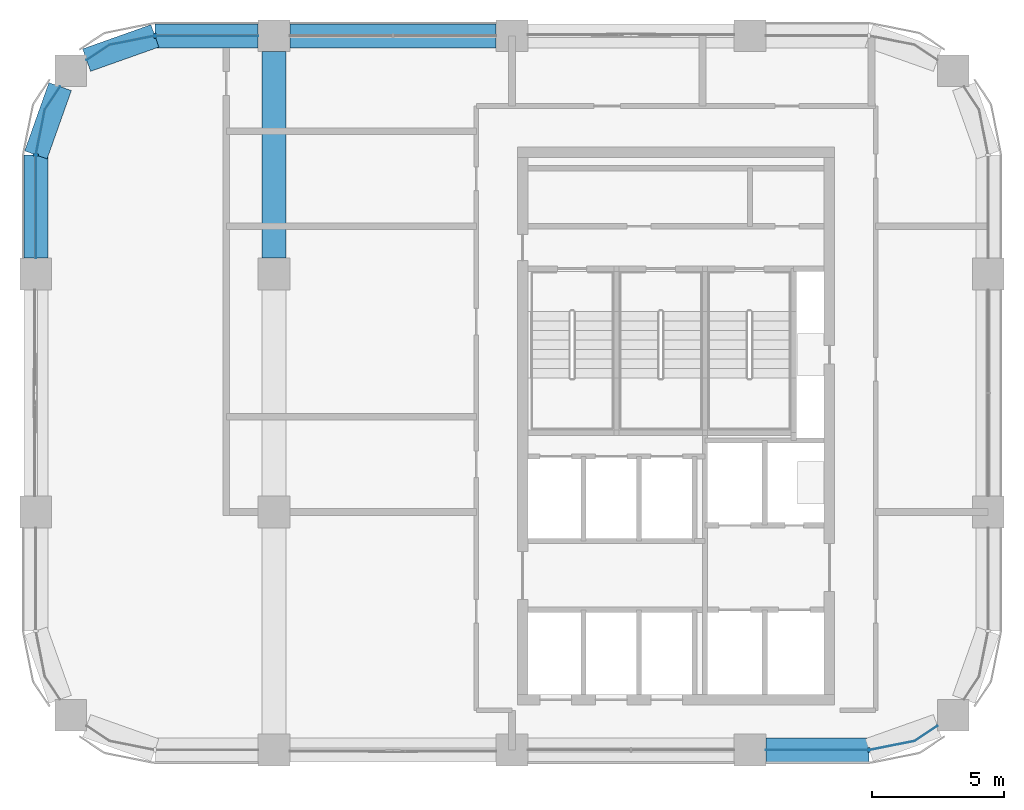
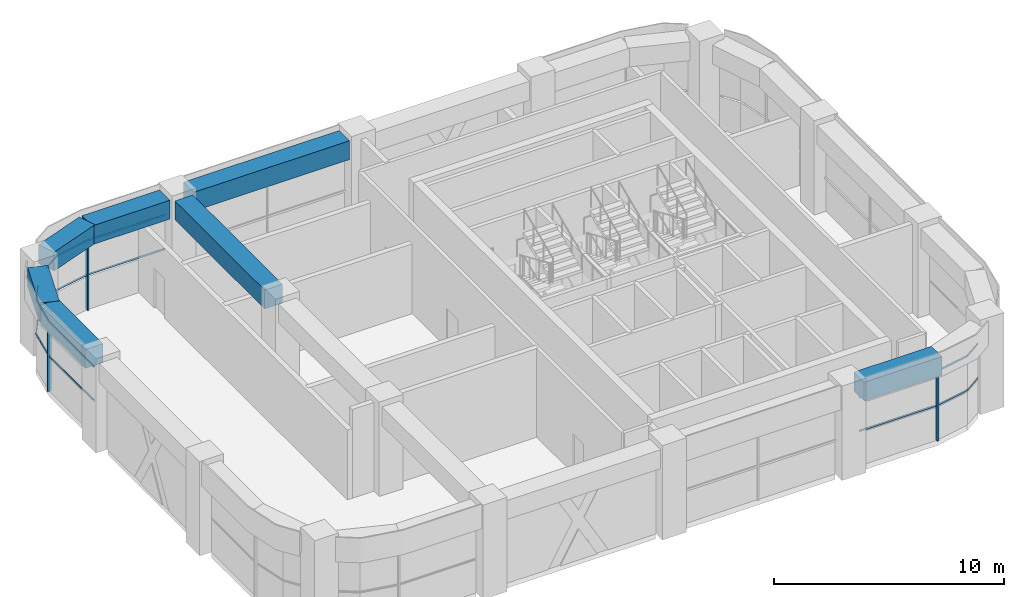
# One storey, part 3 of 15: 9 members, 7 beams, 3 elements without a shape of their own.
"""IFC4 building model written with IfcOpenShell, lengths in metres."""

from ifc_helpers import new_model, si_unit, direction, frame, origin, origin_2d, place, context, subcontext, project, spatial, polyline, rectangle, outline, extrude, material, material_profile, profile_set, type_object, element, aggregate, save


model = new_model("IFC4")

# Units and contexts
model_context = context("Model", 3, precision=1e-05, world=origin(), true_north=direction((0.0, 1.0)))
body_context = subcontext(model_context, "Body", "Model", "MODEL_VIEW")
ifc_project = project(units=[si_unit("LENGTHUNIT", "METRE"), si_unit("AREAUNIT", "SQUARE_METRE"), si_unit("VOLUMEUNIT", "CUBIC_METRE"), si_unit("PLANEANGLEUNIT", "RADIAN"), si_unit("MASSUNIT", "GRAM", prefix="KILO")], contexts=[model_context])

# Site, building, storey
site_placement = place(None, origin())
site = spatial("IfcSite", under=ifc_project, at=site_placement, CompositionType="ELEMENT")
building_placement = place(site_placement, origin())
building = spatial("IfcBuilding", under=site, at=building_placement, Name="Tessera Arch", CompositionType="ELEMENT")
storey_placement = place(building_placement, frame((0.0, 0.0, 285.199951171875)))
storey = spatial("IfcBuildingStorey", under=building, at=storey_placement, Name="L69", CompositionType="ELEMENT", Elevation=285.199951171875)

# Curtain wall, member
ifc_material_1 = material(Name="CW2 curtain wall")
curtain_wall_type = type_object("IfcCurtainWallType", Name="CW2 curtain wall", PredefinedType="NOTDEFINED", material=ifc_material_1)
curtain_wall_1_placement = place(storey_placement, origin())
curtain_wall_1 = element("IfcCurtainWall", 1, at=curtain_wall_1_placement, inside=storey, type_object=curtain_wall_type, Name="CW2 curtain wall N54.18/3 L69", PredefinedType="NOTDEFINED")
ifc_material_2 = material(Name="Anodised aluminium pale metal", Category="aluminium")
ifc_material_profile_1 = material_profile(ifc_material_2, rectangle(XDim=0.199951171875, YDim=0.080078125, at=origin_2d()), Name="AL 80x200")
ifc_profile_set_1 = profile_set([ifc_material_profile_1], Name="Anodised aluminium pale metal")
member_type_1 = type_object("IfcMemberType", Name="CW2 mullion", PredefinedType="MULLION", material=ifc_profile_set_1)
member_1_placement = place(storey_placement, frame((22.5, 54.0, 0.0), z_axis=(0.0, 0.0, 1.0), x_axis=(0.0, -1.0, 0.0)))
member_1 = element("IfcMember", 2, at=member_1_placement, type_object=member_type_1, Name="CW2 mullion N54.18/3 1", PredefinedType="MULLION", context=body_context, shape_type="SweptSolid", body=[
    extrude(rectangle(XDim=0.199951171875, YDim=0.080078125, at=origin_2d()), origin(), (0.0, 0.0, 1.0), 3.60009765625),
])

curtain_wall_2_placement = place(storey_placement, origin())
curtain_wall_2 = element("IfcCurtainWall", 3, at=curtain_wall_2_placement, inside=storey, type_object=curtain_wall_type, Name="CW2 curtain wall W18.27/0 L69", PredefinedType="NOTDEFINED")
member_2_placement = place(storey_placement, frame((18.0, 49.5, 0.0), z_axis=(0.0, 0.0, 1.0), x_axis=(1.0, 0.0, 0.0)))
member_2 = element("IfcMember", 4, at=member_2_placement, type_object=member_type_1, Name="CW2 mullion W18.27/0 1", PredefinedType="MULLION", context=body_context, shape_type="SweptSolid", body=[
    extrude(rectangle(XDim=0.199951171875, YDim=0.080078125, at=origin_2d()), origin(), (0.0, 0.0, 1.0), 3.60009765625),
])

curtain_wall_3_placement = place(storey_placement, origin())
curtain_wall_3 = element("IfcCurtainWall", 5, at=curtain_wall_3_placement, inside=storey, type_object=curtain_wall_type, Name="CW2 curtain wall S27.18/3 L69", PredefinedType="NOTDEFINED")
member_3_placement = place(storey_placement, frame((49.5, 27.0, 0.0), z_axis=(0.0, 0.0, 1.0), x_axis=(0.0, 1.0, 0.0)))
member_3 = element("IfcMember", 6, at=member_3_placement, type_object=member_type_1, Name="CW2 mullion S27.18/3 1", PredefinedType="MULLION", context=body_context, shape_type="SweptSolid", body=[
    extrude(rectangle(XDim=0.199951171875, YDim=0.080078125, at=origin_2d()), origin(), (0.0, 0.0, 1.0), 3.60009765625),
])

# Member
ifc_material_3 = material(Name="Anodised aluminium pale metal", Category="aluminium")
ifc_material_profile_2 = material_profile(ifc_material_3, rectangle(XDim=0.199951171875, YDim=0.10009765625, at=origin_2d()), Name="AL 200x100")
ifc_profile_set_2 = profile_set([ifc_material_profile_2], Name="Anodised aluminium pale metal")
member_type_2 = type_object("IfcMemberType", Name="CW2 transom", PredefinedType="USERDEFINED", material=ifc_profile_set_2)
member_4_placement = place(storey_placement, frame((0.0, 0.0, 1.800048828125)))
member_4 = element("IfcMember", 7, at=member_4_placement, type_object=member_type_2, Name="CW2 transom N54.18/3 1", ObjectType="TRANSOM", PredefinedType="USERDEFINED", context=body_context, shape_type="SweptSolid", body=[
    extrude(outline(polyline([(22.5009765625, 53.989990234375), (26.39990234375, 53.989990234375), (26.39990234375, 54.010009765625), (22.4990234375, 54.010009765625), (20.77392578125, 53.6669921875), (19.912353515625, 53.09130859375), (19.923583984375, 53.07470703125), (20.78173828125, 53.648193359375), (22.5009765625, 53.989990234375)])), origin(), (0.0, 0.0, 1.0), 0.10009765625),
])

member_5_placement = place(storey_placement, frame((0.0, 0.0, 3.60009765625)))
member_5 = element("IfcMember", 8, at=member_5_placement, type_object=member_type_2, Name="CW2 transom N54.18/3 2", ObjectType="TRANSOM", PredefinedType="USERDEFINED", context=body_context, shape_type="SweptSolid", body=[
    extrude(outline(polyline([(22.5009765625, 53.989990234375), (26.39990234375, 53.989990234375), (26.39990234375, 54.010009765625), (22.4990234375, 54.010009765625), (20.77392578125, 53.6669921875), (19.912353515625, 53.09130859375), (19.923583984375, 53.07470703125), (20.78173828125, 53.648193359375), (22.5009765625, 53.989990234375)])), origin(), (0.0, 0.0, 1.0), 0.099853515625),
])

aggregate(curtain_wall_1, [member_1, member_4, member_5])

member_6_placement = place(storey_placement, frame((0.0, 0.0, 1.800048828125)))
member_6 = element("IfcMember", 9, at=member_6_placement, type_object=member_type_2, Name="CW2 transom W18.27/0 1", ObjectType="TRANSOM", PredefinedType="USERDEFINED", context=body_context, shape_type="SweptSolid", body=[
    extrude(outline(polyline([(18.351806640625, 51.21826171875), (18.92529296875, 52.076416015625), (18.90869140625, 52.087646484375), (18.3330078125, 51.22607421875), (17.989990234375, 49.5009765625), (17.989990234375, 45.60009765625), (18.010009765625, 45.60009765625), (18.010009765625, 49.4990234375), (18.351806640625, 51.21826171875)])), origin(), (0.0, 0.0, 1.0), 0.10009765625),
])

member_7_placement = place(storey_placement, frame((0.0, 0.0, 3.60009765625)))
member_7 = element("IfcMember", 10, at=member_7_placement, type_object=member_type_2, Name="CW2 transom W18.27/0 2", ObjectType="TRANSOM", PredefinedType="USERDEFINED", context=body_context, shape_type="SweptSolid", body=[
    extrude(outline(polyline([(18.351806640625, 51.21826171875), (18.92529296875, 52.076416015625), (18.90869140625, 52.087646484375), (18.3330078125, 51.22607421875), (17.989990234375, 49.5009765625), (17.989990234375, 45.60009765625), (18.010009765625, 45.60009765625), (18.010009765625, 49.4990234375), (18.351806640625, 51.21826171875)])), origin(), (0.0, 0.0, 1.0), 0.099853515625),
])

aggregate(curtain_wall_2, [member_2, member_6, member_7])

member_8_placement = place(storey_placement, frame((0.0, 0.0, 1.800048828125)))
member_8 = element("IfcMember", 11, at=member_8_placement, type_object=member_type_2, Name="CW2 transom S27.18/3 1", ObjectType="TRANSOM", PredefinedType="USERDEFINED", context=body_context, shape_type="SweptSolid", body=[
    extrude(outline(polyline([(49.4990234375, 27.010009765625), (45.60009765625, 27.010009765625), (45.60009765625, 26.989990234375), (49.5009765625, 26.989990234375), (51.22607421875, 27.3330078125), (52.087646484375, 27.90869140625), (52.076416015625, 27.92529296875), (51.21826171875, 27.351806640625), (49.4990234375, 27.010009765625)])), origin(), (0.0, 0.0, 1.0), 0.10009765625),
])

member_9_placement = place(storey_placement, frame((0.0, 0.0, 3.60009765625)))
member_9 = element("IfcMember", 12, at=member_9_placement, type_object=member_type_2, Name="CW2 transom S27.18/3 2", ObjectType="TRANSOM", PredefinedType="USERDEFINED", context=body_context, shape_type="SweptSolid", body=[
    extrude(outline(polyline([(49.4990234375, 27.010009765625), (45.60009765625, 27.010009765625), (45.60009765625, 26.989990234375), (49.5009765625, 26.989990234375), (51.22607421875, 27.3330078125), (52.087646484375, 27.90869140625), (52.076416015625, 27.92529296875), (51.21826171875, 27.351806640625), (49.4990234375, 27.010009765625)])), origin(), (0.0, 0.0, 1.0), 0.099853515625),
])

aggregate(curtain_wall_3, [member_3, member_8, member_9])

# Beams
ifc_material_4 = material(Name="Concrete C60/75", Category="concrete")
ifc_material_profile_3 = material_profile(ifc_material_4, rectangle(XDim=0.89990234375, YDim=1.0, at=origin_2d()), Name="RC spandrel beam 900 x 1000 Concrete C60/75")
ifc_profile_set_3 = profile_set([ifc_material_profile_3], Name="Concrete C60/75")
beam_type = type_object("IfcBeamType", Name="RC spandrel beam 900 x 1000 Concrete C60/75", PredefinedType="BEAM", material=ifc_profile_set_3)
beam_1_placement = place(storey_placement, frame((35.39990234375, 54.0, 4.199951171875), z_axis=(-1.0, 0.0, 0.0), x_axis=(0.0, -1.0, 0.0)))
element("IfcBeam", 13, at=beam_1_placement, inside=storey, type_object=beam_type, Name="Spandrel beam L69 N54.18/2", PredefinedType="BEAM", context=body_context, shape_type="SweptSolid", body=[
    extrude(rectangle(XDim=0.89990234375, YDim=1.0, at=origin_2d()), origin(), (0.0, 0.0, 1.0), 7.7998046875),
])
beam_2_placement = place(storey_placement, frame((26.39990234375, 54.0, 4.199951171875), z_axis=(-1.0, 0.0, 0.0), x_axis=(0.0, -1.0, 0.0)))
element("IfcBeam", 14, at=beam_2_placement, inside=storey, type_object=beam_type, Name="Spandrel beam L69 N54.18/3.1", PredefinedType="BEAM", context=body_context, shape_type="SweptSolid", body=[
    extrude(rectangle(XDim=0.89990234375, YDim=1.0, at=origin_2d()), origin(), (0.0, 0.0, 1.0), 3.89990234375),
])
for number, where, z_axis, x_axis, name in (
    (15, (22.5, 54.0, 4.199951171875), (-0.942337127159, -0.334665114373, 0.0), (0.334665114373, -0.942337127159, 0.0), "Spandrel beam L69 N54.18/3.2"),
    (16, (18.9169921875, 52.08203125, 4.199951171875), (-0.334665114373, -0.942337127159, 0.0), (0.942337127159, -0.334665114373, 0.0), "Spandrel beam L69 W18.27/0.1"),
):
    element("IfcBeam", number, at=place(storey_placement, frame(where, z_axis=z_axis, x_axis=x_axis)), inside=storey, type_object=beam_type, Name=name, PredefinedType="BEAM", context=body_context, shape_type="SweptSolid", body=[
        extrude(rectangle(XDim=0.89990234375, YDim=1.0, at=origin_2d()), origin(), (0.0, 0.0, 1.0), 2.739990234375),
    ])
for number, where, z_axis, x_axis, name in (
    (17, (18.0, 49.5, 4.199951171875), (0.0, -1.0, 0.0), (1.0, 0.0, 0.0), "Spandrel beam L69 W18.27/0.2"),
    (18, (45.60009765625, 27.0, 4.199951171875), (1.0, 0.0, 0.0), (0.0, 1.0, 0.0), "Spandrel beam L69 S27.18/3.1"),
):
    element("IfcBeam", number, at=place(storey_placement, frame(where, z_axis=z_axis, x_axis=x_axis)), inside=storey, type_object=beam_type, Name=name, PredefinedType="BEAM", context=body_context, shape_type="SweptSolid", body=[
        extrude(rectangle(XDim=0.89990234375, YDim=1.0, at=origin_2d()), origin(), (0.0, 0.0, 1.0), 3.89990234375),
    ])
beam_3_placement = place(storey_placement, frame((27.0, 45.60009765625, 4.199951171875), z_axis=(0.0, 1.0, 0.0), x_axis=(-1.0, 0.0, 0.0)))
element("IfcBeam", 19, at=beam_3_placement, inside=storey, type_object=beam_type, Name="Interface beam L69 I0C4F-C4G", PredefinedType="BEAM", context=body_context, shape_type="SweptSolid", body=[
    extrude(rectangle(XDim=0.89990234375, YDim=1.0, at=origin_2d()), origin(), (0.0, 0.0, 1.0), 7.7998046875),
])

save(model, "model.ifc")
